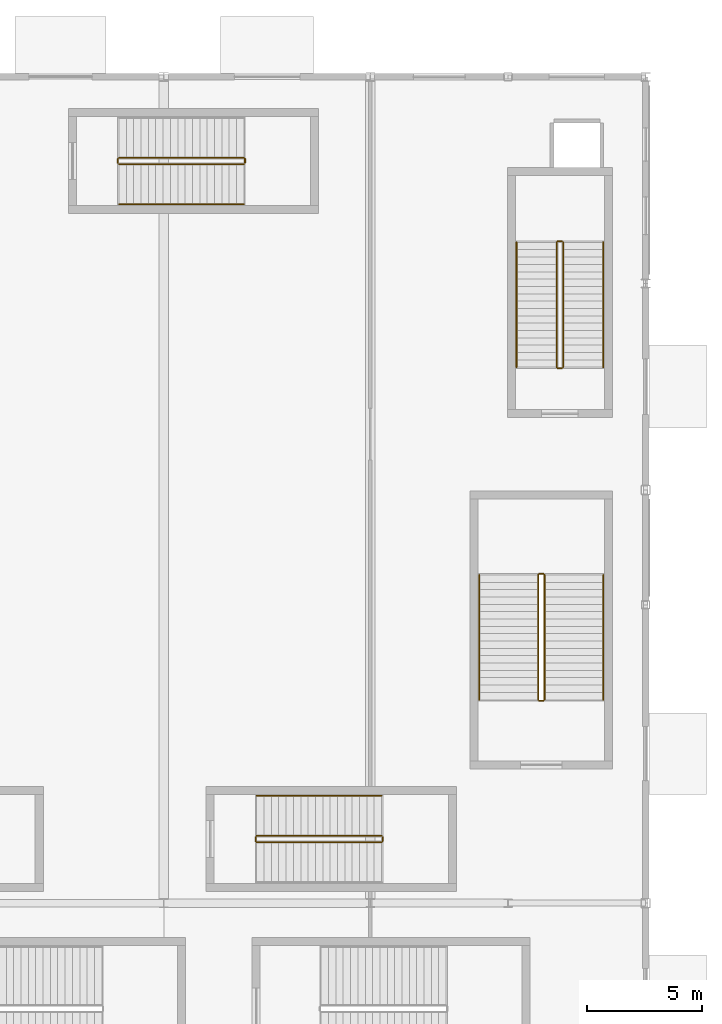
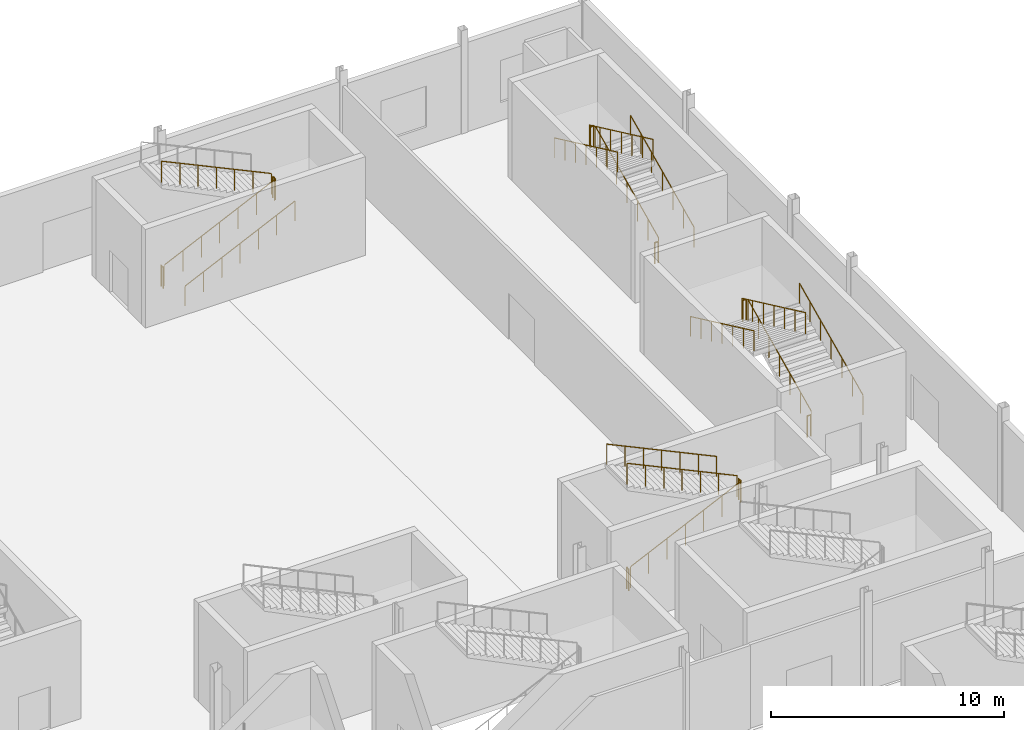
# One storey, part 93 of 94: 22 railings.
"""IFC4 building model written with IfcOpenShell, lengths in metres."""

from ifc_helpers import new_model, si_unit, direction, frame, origin, origin_2d, place, context, subcontext, project, spatial, circle, extrude, material, type_object, element, save


model = new_model("IFC4")

# Units and contexts
model_context = context("Model", 3, precision=1e-05, world=origin(), true_north=direction((0.0, 1.0)))
body_context = subcontext(model_context, "Body", "Model", "MODEL_VIEW")
ifc_project = project(units=[si_unit("LENGTHUNIT", "METRE"), si_unit("AREAUNIT", "SQUARE_METRE"), si_unit("VOLUMEUNIT", "CUBIC_METRE"), si_unit("PLANEANGLEUNIT", "RADIAN"), si_unit("MASSUNIT", "GRAM", prefix="KILO")], contexts=[model_context])

# Site, building, storey
site_placement = place(None, origin())
site = spatial("IfcSite", under=ifc_project, at=site_placement, CompositionType="ELEMENT")
building_placement = place(site_placement, origin())
building = spatial("IfcBuilding", under=site, at=building_placement, Name="Qamarlyn Nura Convention Centre", CompositionType="ELEMENT")
storey_placement = place(building_placement, origin())
storey = spatial("IfcBuildingStorey", under=building, at=storey_placement, Name="L00", CompositionType="ELEMENT", Elevation=0.0)

# Railings
ifc_material = material(Name="Marine Grade 316 stainless steel", Category="steel")
railing_type_1 = type_object("IfcRailingType", Name="GRD-STAIR-112", PredefinedType="BALUSTRADE", material=ifc_material)
railing_1_placement = place(storey_placement, frame((187.590087890625, 98.860107421875, 0.14990234375)))
element("IfcRailing", 1, at=railing_1_placement, inside=storey, type_object=railing_type_1, Name="L00 ST-18 stair guard 1", PredefinedType="BALUSTRADE", context=body_context, shape_type="SweptSolid", body=[
    extrude(circle(Radius=0.02392578125, at=origin_2d()), frame((0.0, 0.0, 1.09619140625), z_axis=(0.0, 0.90545405566, 0.424444287379), x_axis=(-1.0, 0.0, 0.0)), (0.0, 0.0, 1.0), 6.008056640625),
    extrude(circle(Radius=0.02099609375, at=origin_2d()), origin(), (0.0, 0.0, 1.0), 1.070068359375),
    extrude(circle(Radius=0.02099609375, at=origin_2d()), frame((0.0, 0.90673828125, 0.425048828125)), (0.0, 0.0, 1.0), 1.070068359375),
    extrude(circle(Radius=0.02099609375, at=origin_2d()), frame((0.0, 1.813232421875, 0.85009765625)), (0.0, 0.0, 1.0), 1.070068359375),
    extrude(circle(Radius=0.02099609375, at=origin_2d()), frame((0.0, 2.719970703125, 1.27490234375)), (0.0, 0.0, 1.0), 1.070068359375),
    extrude(circle(Radius=0.02099609375, at=origin_2d()), frame((0.0, 3.626708984375, 1.699951171875)), (0.0, 0.0, 1.0), 1.070068359375),
    extrude(circle(Radius=0.02099609375, at=origin_2d()), frame((0.0, 4.533203125, 2.125)), (0.0, 0.0, 1.0), 1.070068359375),
    extrude(circle(Radius=0.02099609375, at=origin_2d()), frame((0.0, 5.43994140625, 2.550048828125)), (0.0, 0.0, 1.0), 1.070068359375),
])
railing_2_placement = place(storey_placement, frame((187.5400390625, 104.35009765625, 2.699951171875)))
element("IfcRailing", 2, at=railing_2_placement, inside=storey, type_object=railing_type_1, Name="L00 ST-18 stair guard 2", PredefinedType="BALUSTRADE", context=body_context, shape_type="SweptSolid", body=[
    extrude(circle(Radius=0.02392578125, at=origin_2d()), frame((0.0, 0.0, 1.09619140625), z_axis=(-1.0, 0.0, 0.0), x_axis=(0.0, -1.0, 0.0)), (0.0, 0.0, 1.0), 0.179931640625),
    extrude(circle(Radius=0.02099609375, at=origin_2d()), origin(), (0.0, 0.0, 1.0), 1.070068359375),
    extrude(circle(Radius=0.02099609375, at=origin_2d()), frame((-0.179931640625, 0.0, 0.0)), (0.0, 0.0, 1.0), 1.070068359375),
])
railing_3_placement = place(storey_placement, frame((187.31005859375, 104.300048828125, 2.85009765625)))
element("IfcRailing", 3, at=railing_3_placement, inside=storey, type_object=railing_type_1, Name="L00 ST-18 stair guard 3", PredefinedType="BALUSTRADE", context=body_context, shape_type="SweptSolid", body=[
    extrude(circle(Radius=0.02392578125, at=origin_2d()), frame((0.0, 0.0, 1.09619140625), z_axis=(0.0, -0.90546967238, 0.424410971113), x_axis=(1.0, 0.0, 0.0)), (0.0, 0.0, 1.0), 6.0078125),
    extrude(circle(Radius=0.02099609375, at=origin_2d()), origin(), (0.0, 0.0, 1.0), 1.070068359375),
    extrude(circle(Radius=0.02099609375, at=origin_2d()), frame((0.0, -0.90673828125, 0.425048828125)), (0.0, 0.0, 1.0), 1.070068359375),
    extrude(circle(Radius=0.02099609375, at=origin_2d()), frame((0.0, -1.813232421875, 0.849853515625)), (0.0, 0.0, 1.0), 1.070068359375),
    extrude(circle(Radius=0.02099609375, at=origin_2d()), frame((0.0, -2.719970703125, 1.27490234375)), (0.0, 0.0, 1.0), 1.070068359375),
    extrude(circle(Radius=0.02099609375, at=origin_2d()), frame((0.0, -3.626708984375, 1.699951171875)), (0.0, 0.0, 1.0), 1.070068359375),
    extrude(circle(Radius=0.02099609375, at=origin_2d()), frame((0.0, -4.533203125, 2.124755859375)), (0.0, 0.0, 1.0), 1.070068359375),
    extrude(circle(Radius=0.02099609375, at=origin_2d()), frame((0.0, -5.43994140625, 2.5498046875)), (0.0, 0.0, 1.0), 1.070068359375),
])
railing_4_placement = place(storey_placement, frame((187.5400390625, 98.81005859375, 0.0)))
element("IfcRailing", 4, at=railing_4_placement, inside=storey, type_object=railing_type_1, Name="L00 ST-18 stair guard 4", PredefinedType="BALUSTRADE", context=body_context, shape_type="SweptSolid", body=[
    extrude(circle(Radius=0.02392578125, at=origin_2d()), frame((0.0, 0.0, 1.09619140625), z_axis=(-1.0, 0.0, 0.0), x_axis=(0.0, -1.0, 0.0)), (0.0, 0.0, 1.0), 0.179931640625),
    extrude(circle(Radius=0.02099609375, at=origin_2d()), origin(), (0.0, 0.0, 1.0), 1.070068359375),
    extrude(circle(Radius=0.02099609375, at=origin_2d()), frame((-0.179931640625, 0.0, 0.0)), (0.0, 0.0, 1.0), 1.070068359375),
])
railing_5_placement = place(storey_placement, frame((175.050048828125, 92.64990234375, 0.14990234375)))
element("IfcRailing", 5, at=railing_5_placement, inside=storey, type_object=railing_type_1, Name="L00 ST-VOM4 stair guard 1", PredefinedType="BALUSTRADE", context=body_context, shape_type="SweptSolid", body=[
    extrude(circle(Radius=0.02392578125, at=origin_2d()), frame((0.0, 0.0, 1.09619140625), z_axis=(0.90545405566, 0.0, 0.424444287379), x_axis=(0.0, 1.0, 0.0)), (0.0, 0.0, 1.0), 6.008056640625),
    extrude(circle(Radius=0.02099609375, at=origin_2d()), origin(), (0.0, 0.0, 1.0), 1.070068359375),
    extrude(circle(Radius=0.02099609375, at=origin_2d()), frame((0.90673828125, 0.0, 0.425048828125)), (0.0, 0.0, 1.0), 1.070068359375),
    extrude(circle(Radius=0.02099609375, at=origin_2d()), frame((1.813232421875, 0.0, 0.85009765625)), (0.0, 0.0, 1.0), 1.070068359375),
    extrude(circle(Radius=0.02099609375, at=origin_2d()), frame((2.719970703125, 0.0, 1.27490234375)), (0.0, 0.0, 1.0), 1.070068359375),
    extrude(circle(Radius=0.02099609375, at=origin_2d()), frame((3.626708984375, 0.0, 1.699951171875)), (0.0, 0.0, 1.0), 1.070068359375),
    extrude(circle(Radius=0.02099609375, at=origin_2d()), frame((4.533203125, 0.0, 2.125)), (0.0, 0.0, 1.0), 1.070068359375),
    extrude(circle(Radius=0.02099609375, at=origin_2d()), frame((5.43994140625, 0.0, 2.550048828125)), (0.0, 0.0, 1.0), 1.070068359375),
])
railing_6_placement = place(storey_placement, frame((180.5400390625, 92.699951171875, 2.699951171875)))
element("IfcRailing", 6, at=railing_6_placement, inside=storey, type_object=railing_type_1, Name="L00 ST-VOM4 stair guard 2", PredefinedType="BALUSTRADE", context=body_context, shape_type="SweptSolid", body=[
    extrude(circle(Radius=0.02392578125, at=origin_2d()), frame((0.0, 0.0, 1.09619140625), z_axis=(0.0, 1.0, 0.0), x_axis=(-1.0, 0.0, 0.0)), (0.0, 0.0, 1.0), 0.179931640625),
    extrude(circle(Radius=0.02099609375, at=origin_2d()), origin(), (0.0, 0.0, 1.0), 1.070068359375),
    extrude(circle(Radius=0.02099609375, at=origin_2d()), frame((0.0, 0.179931640625, 0.0)), (0.0, 0.0, 1.0), 1.070068359375),
])
railing_7_placement = place(storey_placement, frame((180.489990234375, 92.929931640625, 2.85009765625)))
element("IfcRailing", 7, at=railing_7_placement, inside=storey, type_object=railing_type_1, Name="L00 ST-VOM4 stair guard 3", PredefinedType="BALUSTRADE", context=body_context, shape_type="SweptSolid", body=[
    extrude(circle(Radius=0.02392578125, at=origin_2d()), frame((0.0, 0.0, 1.09619140625), z_axis=(-0.90546967238, 0.0, 0.424410971113), x_axis=(0.0, -1.0, 0.0)), (0.0, 0.0, 1.0), 6.0078125),
    extrude(circle(Radius=0.02099609375, at=origin_2d()), origin(), (0.0, 0.0, 1.0), 1.070068359375),
    extrude(circle(Radius=0.02099609375, at=origin_2d()), frame((-0.90673828125, 0.0, 0.425048828125)), (0.0, 0.0, 1.0), 1.070068359375),
    extrude(circle(Radius=0.02099609375, at=origin_2d()), frame((-1.813232421875, 0.0, 0.849853515625)), (0.0, 0.0, 1.0), 1.070068359375),
    extrude(circle(Radius=0.02099609375, at=origin_2d()), frame((-2.719970703125, 0.0, 1.27490234375)), (0.0, 0.0, 1.0), 1.070068359375),
    extrude(circle(Radius=0.02099609375, at=origin_2d()), frame((-3.626708984375, 0.0, 1.699951171875)), (0.0, 0.0, 1.0), 1.070068359375),
    extrude(circle(Radius=0.02099609375, at=origin_2d()), frame((-4.533203125, 0.0, 2.124755859375)), (0.0, 0.0, 1.0), 1.070068359375),
    extrude(circle(Radius=0.02099609375, at=origin_2d()), frame((-5.43994140625, 0.0, 2.5498046875)), (0.0, 0.0, 1.0), 1.070068359375),
])
railing_8_placement = place(storey_placement, frame((175.0, 92.699951171875, 0.0)))
element("IfcRailing", 8, at=railing_8_placement, inside=storey, type_object=railing_type_1, Name="L00 ST-VOM4 stair guard 4", PredefinedType="BALUSTRADE", context=body_context, shape_type="SweptSolid", body=[
    extrude(circle(Radius=0.02392578125, at=origin_2d()), frame((0.0, 0.0, 1.09619140625), z_axis=(0.0, 1.0, 0.0), x_axis=(-1.0, 0.0, 0.0)), (0.0, 0.0, 1.0), 0.179931640625),
    extrude(circle(Radius=0.02099609375, at=origin_2d()), origin(), (0.0, 0.0, 1.0), 1.070068359375),
    extrude(circle(Radius=0.02099609375, at=origin_2d()), frame((0.0, 0.179931640625, 0.0)), (0.0, 0.0, 1.0), 1.070068359375),
])
railing_9_placement = place(storey_placement, frame((169.050048828125, 122.199951171875, 0.14990234375)))
element("IfcRailing", 9, at=railing_9_placement, inside=storey, type_object=railing_type_1, Name="L00 ST-VOM5 stair guard 1", PredefinedType="BALUSTRADE", context=body_context, shape_type="SweptSolid", body=[
    extrude(circle(Radius=0.02392578125, at=origin_2d()), frame((0.0, 0.0, 1.09619140625), z_axis=(0.90545405566, 0.0, 0.424444287379), x_axis=(0.0, 1.0, 0.0)), (0.0, 0.0, 1.0), 6.008056640625),
    extrude(circle(Radius=0.02099609375, at=origin_2d()), origin(), (0.0, 0.0, 1.0), 1.070068359375),
    extrude(circle(Radius=0.02099609375, at=origin_2d()), frame((0.90673828125, 0.0, 0.425048828125)), (0.0, 0.0, 1.0), 1.070068359375),
    extrude(circle(Radius=0.02099609375, at=origin_2d()), frame((1.813232421875, 0.0, 0.85009765625)), (0.0, 0.0, 1.0), 1.070068359375),
    extrude(circle(Radius=0.02099609375, at=origin_2d()), frame((2.719970703125, 0.0, 1.27490234375)), (0.0, 0.0, 1.0), 1.070068359375),
    extrude(circle(Radius=0.02099609375, at=origin_2d()), frame((3.626708984375, 0.0, 1.699951171875)), (0.0, 0.0, 1.0), 1.070068359375),
    extrude(circle(Radius=0.02099609375, at=origin_2d()), frame((4.533203125, 0.0, 2.125)), (0.0, 0.0, 1.0), 1.070068359375),
    extrude(circle(Radius=0.02099609375, at=origin_2d()), frame((5.43994140625, 0.0, 2.550048828125)), (0.0, 0.0, 1.0), 1.070068359375),
])
railing_10_placement = place(storey_placement, frame((174.5400390625, 122.25, 2.699951171875)))
element("IfcRailing", 10, at=railing_10_placement, inside=storey, type_object=railing_type_1, Name="L00 ST-VOM5 stair guard 2", PredefinedType="BALUSTRADE", context=body_context, shape_type="SweptSolid", body=[
    extrude(circle(Radius=0.02392578125, at=origin_2d()), frame((0.0, 0.0, 1.09619140625), z_axis=(0.0, 1.0, 0.0), x_axis=(-1.0, 0.0, 0.0)), (0.0, 0.0, 1.0), 0.179931640625),
    extrude(circle(Radius=0.02099609375, at=origin_2d()), origin(), (0.0, 0.0, 1.0), 1.070068359375),
    extrude(circle(Radius=0.02099609375, at=origin_2d()), frame((0.0, 0.179931640625, 0.0)), (0.0, 0.0, 1.0), 1.070068359375),
])
railing_11_placement = place(storey_placement, frame((174.489990234375, 122.47998046875, 2.85009765625)))
element("IfcRailing", 11, at=railing_11_placement, inside=storey, type_object=railing_type_1, Name="L00 ST-VOM5 stair guard 3", PredefinedType="BALUSTRADE", context=body_context, shape_type="SweptSolid", body=[
    extrude(circle(Radius=0.02392578125, at=origin_2d()), frame((0.0, 0.0, 1.09619140625), z_axis=(-0.90546967238, 0.0, 0.424410971113), x_axis=(0.0, -1.0, 0.0)), (0.0, 0.0, 1.0), 6.0078125),
    extrude(circle(Radius=0.02099609375, at=origin_2d()), origin(), (0.0, 0.0, 1.0), 1.070068359375),
    extrude(circle(Radius=0.02099609375, at=origin_2d()), frame((-0.90673828125, 0.0, 0.425048828125)), (0.0, 0.0, 1.0), 1.070068359375),
    extrude(circle(Radius=0.02099609375, at=origin_2d()), frame((-1.813232421875, 0.0, 0.849853515625)), (0.0, 0.0, 1.0), 1.070068359375),
    extrude(circle(Radius=0.02099609375, at=origin_2d()), frame((-2.719970703125, 0.0, 1.27490234375)), (0.0, 0.0, 1.0), 1.070068359375),
    extrude(circle(Radius=0.02099609375, at=origin_2d()), frame((-3.626708984375, 0.0, 1.699951171875)), (0.0, 0.0, 1.0), 1.070068359375),
    extrude(circle(Radius=0.02099609375, at=origin_2d()), frame((-4.533203125, 0.0, 2.124755859375)), (0.0, 0.0, 1.0), 1.070068359375),
    extrude(circle(Radius=0.02099609375, at=origin_2d()), frame((-5.43994140625, 0.0, 2.5498046875)), (0.0, 0.0, 1.0), 1.070068359375),
])
railing_12_placement = place(storey_placement, frame((169.0, 122.25, 0.0)))
element("IfcRailing", 12, at=railing_12_placement, inside=storey, type_object=railing_type_1, Name="L00 ST-VOM5 stair guard 4", PredefinedType="BALUSTRADE", context=body_context, shape_type="SweptSolid", body=[
    extrude(circle(Radius=0.02392578125, at=origin_2d()), frame((0.0, 0.0, 1.09619140625), z_axis=(0.0, 1.0, 0.0), x_axis=(-1.0, 0.0, 0.0)), (0.0, 0.0, 1.0), 0.179931640625),
    extrude(circle(Radius=0.02099609375, at=origin_2d()), origin(), (0.0, 0.0, 1.0), 1.070068359375),
    extrude(circle(Radius=0.02099609375, at=origin_2d()), frame((0.0, 0.179931640625, 0.0)), (0.0, 0.0, 1.0), 1.070068359375),
])
railing_13_placement = place(storey_placement, frame((188.39990234375, 113.35009765625, 0.14990234375)))
element("IfcRailing", 13, at=railing_13_placement, inside=storey, type_object=railing_type_1, Name="L00 ST-VOM6 stair guard 1", PredefinedType="BALUSTRADE", context=body_context, shape_type="SweptSolid", body=[
    extrude(circle(Radius=0.02392578125, at=origin_2d()), frame((0.0, 0.0, 1.09619140625), z_axis=(0.0, 0.90545405566, 0.424444287379), x_axis=(-1.0, 0.0, 0.0)), (0.0, 0.0, 1.0), 6.008056640625),
    extrude(circle(Radius=0.02099609375, at=origin_2d()), origin(), (0.0, 0.0, 1.0), 1.070068359375),
    extrude(circle(Radius=0.02099609375, at=origin_2d()), frame((0.0, 0.90673828125, 0.425048828125)), (0.0, 0.0, 1.0), 1.070068359375),
    extrude(circle(Radius=0.02099609375, at=origin_2d()), frame((0.0, 1.813232421875, 0.85009765625)), (0.0, 0.0, 1.0), 1.070068359375),
    extrude(circle(Radius=0.02099609375, at=origin_2d()), frame((0.0, 2.719970703125, 1.27490234375)), (0.0, 0.0, 1.0), 1.070068359375),
    extrude(circle(Radius=0.02099609375, at=origin_2d()), frame((0.0, 3.626708984375, 1.699951171875)), (0.0, 0.0, 1.0), 1.070068359375),
    extrude(circle(Radius=0.02099609375, at=origin_2d()), frame((0.0, 4.533203125, 2.125)), (0.0, 0.0, 1.0), 1.070068359375),
    extrude(circle(Radius=0.02099609375, at=origin_2d()), frame((0.0, 5.43994140625, 2.550048828125)), (0.0, 0.0, 1.0), 1.070068359375),
])
railing_14_placement = place(storey_placement, frame((188.35009765625, 118.840087890625, 2.699951171875)))
element("IfcRailing", 14, at=railing_14_placement, inside=storey, type_object=railing_type_1, Name="L00 ST-VOM6 stair guard 2", PredefinedType="BALUSTRADE", context=body_context, shape_type="SweptSolid", body=[
    extrude(circle(Radius=0.02392578125, at=origin_2d()), frame((0.0, 0.0, 1.09619140625), z_axis=(-1.0, 0.0, 0.0), x_axis=(0.0, -1.0, 0.0)), (0.0, 0.0, 1.0), 0.18017578125),
    extrude(circle(Radius=0.02099609375, at=origin_2d()), origin(), (0.0, 0.0, 1.0), 1.070068359375),
    extrude(circle(Radius=0.02099609375, at=origin_2d()), frame((-0.18017578125, 0.0, 0.0)), (0.0, 0.0, 1.0), 1.070068359375),
])
railing_15_placement = place(storey_placement, frame((188.1201171875, 118.7900390625, 2.85009765625)))
element("IfcRailing", 15, at=railing_15_placement, inside=storey, type_object=railing_type_1, Name="L00 ST-VOM6 stair guard 3", PredefinedType="BALUSTRADE", context=body_context, shape_type="SweptSolid", body=[
    extrude(circle(Radius=0.02392578125, at=origin_2d()), frame((0.0, 0.0, 1.09619140625), z_axis=(0.0, -0.90546967238, 0.424410971113), x_axis=(1.0, 0.0, 0.0)), (0.0, 0.0, 1.0), 6.0078125),
    extrude(circle(Radius=0.02099609375, at=origin_2d()), origin(), (0.0, 0.0, 1.0), 1.070068359375),
    extrude(circle(Radius=0.02099609375, at=origin_2d()), frame((0.0, -0.90673828125, 0.425048828125)), (0.0, 0.0, 1.0), 1.070068359375),
    extrude(circle(Radius=0.02099609375, at=origin_2d()), frame((0.0, -1.813232421875, 0.849853515625)), (0.0, 0.0, 1.0), 1.070068359375),
    extrude(circle(Radius=0.02099609375, at=origin_2d()), frame((0.0, -2.719970703125, 1.27490234375)), (0.0, 0.0, 1.0), 1.070068359375),
    extrude(circle(Radius=0.02099609375, at=origin_2d()), frame((0.0, -3.626708984375, 1.699951171875)), (0.0, 0.0, 1.0), 1.070068359375),
    extrude(circle(Radius=0.02099609375, at=origin_2d()), frame((0.0, -4.533203125, 2.124755859375)), (0.0, 0.0, 1.0), 1.070068359375),
    extrude(circle(Radius=0.02099609375, at=origin_2d()), frame((0.0, -5.43994140625, 2.5498046875)), (0.0, 0.0, 1.0), 1.070068359375),
])
railing_16_placement = place(storey_placement, frame((188.35009765625, 113.300048828125, 0.0)))
element("IfcRailing", 16, at=railing_16_placement, inside=storey, type_object=railing_type_1, Name="L00 ST-VOM6 stair guard 4", PredefinedType="BALUSTRADE", context=body_context, shape_type="SweptSolid", body=[
    extrude(circle(Radius=0.02392578125, at=origin_2d()), frame((0.0, 0.0, 1.09619140625), z_axis=(-1.0, 0.0, 0.0), x_axis=(0.0, -1.0, 0.0)), (0.0, 0.0, 1.0), 0.18017578125),
    extrude(circle(Radius=0.02099609375, at=origin_2d()), origin(), (0.0, 0.0, 1.0), 1.070068359375),
    extrude(circle(Radius=0.02099609375, at=origin_2d()), frame((-0.18017578125, 0.0, 0.0)), (0.0, 0.0, 1.0), 1.070068359375),
])
railing_type_2 = type_object("IfcRailingType", Name="HRL-STAIR-090", PredefinedType="HANDRAIL", material=ifc_material)
railing_17_placement = place(storey_placement, frame((190.14990234375, 98.860107421875, 0.30224609375)))
element("IfcRailing", 17, at=railing_17_placement, inside=storey, type_object=railing_type_2, Name="L00 ST-18 stair handrail 1", PredefinedType="HANDRAIL", context=body_context, shape_type="SweptSolid", body=[
    extrude(circle(Radius=0.02392578125, at=origin_2d()), frame((0.0, 0.0, 0.88818359375), z_axis=(0.0, 0.90545405566, 0.424444287379), x_axis=(-1.0, 0.0, 0.0)), (0.0, 0.0, 1.0), 6.008056640625),
    extrude(circle(Radius=0.02099609375, at=origin_2d()), frame((0.0, 0.0, -0.155029296875)), (0.0, 0.0, 1.0), 1.01708984375),
    extrude(circle(Radius=0.02099609375, at=origin_2d()), frame((0.0, 0.90673828125, 0.27001953125)), (0.0, 0.0, 1.0), 1.01708984375),
    extrude(circle(Radius=0.02099609375, at=origin_2d()), frame((0.0, 1.813232421875, 0.695068359375)), (0.0, 0.0, 1.0), 1.01708984375),
    extrude(circle(Radius=0.02099609375, at=origin_2d()), frame((0.0, 2.719970703125, 1.1201171875)), (0.0, 0.0, 1.0), 1.01708984375),
    extrude(circle(Radius=0.02099609375, at=origin_2d()), frame((0.0, 3.626708984375, 1.544921875)), (0.0, 0.0, 1.0), 1.01708984375),
    extrude(circle(Radius=0.02099609375, at=origin_2d()), frame((0.0, 4.533203125, 1.969970703125)), (0.0, 0.0, 1.0), 1.01708984375),
    extrude(circle(Radius=0.02099609375, at=origin_2d()), frame((0.0, 5.43994140625, 2.39501953125)), (0.0, 0.0, 1.0), 1.01708984375),
])
railing_18_placement = place(storey_placement, frame((184.75, 104.300048828125, 3.002197265625)))
element("IfcRailing", 18, at=railing_18_placement, inside=storey, type_object=railing_type_2, Name="L00 ST-18 stair handrail 2", PredefinedType="HANDRAIL", context=body_context, shape_type="SweptSolid", body=[
    extrude(circle(Radius=0.02392578125, at=origin_2d()), frame((0.0, 0.0, 0.88818359375), z_axis=(0.0, -0.90545405566, 0.424444287379), x_axis=(1.0, 0.0, 0.0)), (0.0, 0.0, 1.0), 6.008056640625),
    extrude(circle(Radius=0.02099609375, at=origin_2d()), frame((0.0, 0.0, -0.155029296875)), (0.0, 0.0, 1.0), 1.01708984375),
    extrude(circle(Radius=0.02099609375, at=origin_2d()), frame((0.0, -0.90673828125, 0.27001953125)), (0.0, 0.0, 1.0), 1.01708984375),
    extrude(circle(Radius=0.02099609375, at=origin_2d()), frame((0.0, -1.813232421875, 0.695068359375)), (0.0, 0.0, 1.0), 1.01708984375),
    extrude(circle(Radius=0.02099609375, at=origin_2d()), frame((0.0, -2.719970703125, 1.1201171875)), (0.0, 0.0, 1.0), 1.01708984375),
    extrude(circle(Radius=0.02099609375, at=origin_2d()), frame((0.0, -3.626708984375, 1.544921875)), (0.0, 0.0, 1.0), 1.01708984375),
    extrude(circle(Radius=0.02099609375, at=origin_2d()), frame((0.0, -4.533203125, 1.969970703125)), (0.0, 0.0, 1.0), 1.01708984375),
    extrude(circle(Radius=0.02099609375, at=origin_2d()), frame((0.0, -5.43994140625, 2.39501953125)), (0.0, 0.0, 1.0), 1.01708984375),
])
railing_19_placement = place(storey_placement, frame((180.489990234375, 94.679931640625, 3.002197265625)))
element("IfcRailing", 19, at=railing_19_placement, inside=storey, type_object=railing_type_2, Name="L00 ST-VOM4 stair handrail 2", PredefinedType="HANDRAIL", context=body_context, shape_type="SweptSolid", body=[
    extrude(circle(Radius=0.02392578125, at=origin_2d()), frame((0.0, 0.0, 0.88818359375), z_axis=(-0.90545405566, 0.0, 0.424444287379), x_axis=(0.0, -1.0, 0.0)), (0.0, 0.0, 1.0), 6.008056640625),
    extrude(circle(Radius=0.02099609375, at=origin_2d()), frame((0.0, 0.0, -0.155029296875)), (0.0, 0.0, 1.0), 1.01708984375),
    extrude(circle(Radius=0.02099609375, at=origin_2d()), frame((-0.90673828125, 0.0, 0.27001953125)), (0.0, 0.0, 1.0), 1.01708984375),
    extrude(circle(Radius=0.02099609375, at=origin_2d()), frame((-1.813232421875, 0.0, 0.695068359375)), (0.0, 0.0, 1.0), 1.01708984375),
    extrude(circle(Radius=0.02099609375, at=origin_2d()), frame((-2.719970703125, 0.0, 1.1201171875)), (0.0, 0.0, 1.0), 1.01708984375),
    extrude(circle(Radius=0.02099609375, at=origin_2d()), frame((-3.626708984375, 0.0, 1.544921875)), (0.0, 0.0, 1.0), 1.01708984375),
    extrude(circle(Radius=0.02099609375, at=origin_2d()), frame((-4.533203125, 0.0, 1.969970703125)), (0.0, 0.0, 1.0), 1.01708984375),
    extrude(circle(Radius=0.02099609375, at=origin_2d()), frame((-5.43994140625, 0.0, 2.39501953125)), (0.0, 0.0, 1.0), 1.01708984375),
])
railing_20_placement = place(storey_placement, frame((169.050048828125, 120.449951171875, 0.30224609375)))
element("IfcRailing", 20, at=railing_20_placement, inside=storey, type_object=railing_type_2, Name="L00 ST-VOM5 stair handrail 1", PredefinedType="HANDRAIL", context=body_context, shape_type="SweptSolid", body=[
    extrude(circle(Radius=0.02392578125, at=origin_2d()), frame((0.0, 0.0, 0.88818359375), z_axis=(0.90545405566, 0.0, 0.424444287379), x_axis=(0.0, 1.0, 0.0)), (0.0, 0.0, 1.0), 6.008056640625),
    extrude(circle(Radius=0.02099609375, at=origin_2d()), frame((0.0, 0.0, -0.155029296875)), (0.0, 0.0, 1.0), 1.01708984375),
    extrude(circle(Radius=0.02099609375, at=origin_2d()), frame((0.90673828125, 0.0, 0.27001953125)), (0.0, 0.0, 1.0), 1.01708984375),
    extrude(circle(Radius=0.02099609375, at=origin_2d()), frame((1.813232421875, 0.0, 0.695068359375)), (0.0, 0.0, 1.0), 1.01708984375),
    extrude(circle(Radius=0.02099609375, at=origin_2d()), frame((2.719970703125, 0.0, 1.1201171875)), (0.0, 0.0, 1.0), 1.01708984375),
    extrude(circle(Radius=0.02099609375, at=origin_2d()), frame((3.626708984375, 0.0, 1.544921875)), (0.0, 0.0, 1.0), 1.01708984375),
    extrude(circle(Radius=0.02099609375, at=origin_2d()), frame((4.533203125, 0.0, 1.969970703125)), (0.0, 0.0, 1.0), 1.01708984375),
    extrude(circle(Radius=0.02099609375, at=origin_2d()), frame((5.43994140625, 0.0, 2.39501953125)), (0.0, 0.0, 1.0), 1.01708984375),
])
railing_21_placement = place(storey_placement, frame((190.14990234375, 113.35009765625, 0.30224609375)))
element("IfcRailing", 21, at=railing_21_placement, inside=storey, type_object=railing_type_2, Name="L00 ST-VOM6 stair handrail 1", PredefinedType="HANDRAIL", context=body_context, shape_type="SweptSolid", body=[
    extrude(circle(Radius=0.02392578125, at=origin_2d()), frame((0.0, 0.0, 0.88818359375), z_axis=(0.0, 0.90545405566, 0.424444287379), x_axis=(-1.0, 0.0, 0.0)), (0.0, 0.0, 1.0), 6.008056640625),
    extrude(circle(Radius=0.02099609375, at=origin_2d()), frame((0.0, 0.0, -0.155029296875)), (0.0, 0.0, 1.0), 1.01708984375),
    extrude(circle(Radius=0.02099609375, at=origin_2d()), frame((0.0, 0.90673828125, 0.27001953125)), (0.0, 0.0, 1.0), 1.01708984375),
    extrude(circle(Radius=0.02099609375, at=origin_2d()), frame((0.0, 1.813232421875, 0.695068359375)), (0.0, 0.0, 1.0), 1.01708984375),
    extrude(circle(Radius=0.02099609375, at=origin_2d()), frame((0.0, 2.719970703125, 1.1201171875)), (0.0, 0.0, 1.0), 1.01708984375),
    extrude(circle(Radius=0.02099609375, at=origin_2d()), frame((0.0, 3.626708984375, 1.544921875)), (0.0, 0.0, 1.0), 1.01708984375),
    extrude(circle(Radius=0.02099609375, at=origin_2d()), frame((0.0, 4.533203125, 1.969970703125)), (0.0, 0.0, 1.0), 1.01708984375),
    extrude(circle(Radius=0.02099609375, at=origin_2d()), frame((0.0, 5.43994140625, 2.39501953125)), (0.0, 0.0, 1.0), 1.01708984375),
])
railing_22_placement = place(storey_placement, frame((186.3701171875, 118.7900390625, 3.002197265625)))
element("IfcRailing", 22, at=railing_22_placement, inside=storey, type_object=railing_type_2, Name="L00 ST-VOM6 stair handrail 2", PredefinedType="HANDRAIL", context=body_context, shape_type="SweptSolid", body=[
    extrude(circle(Radius=0.02392578125, at=origin_2d()), frame((0.0, 0.0, 0.88818359375), z_axis=(0.0, -0.90545405566, 0.424444287379), x_axis=(1.0, 0.0, 0.0)), (0.0, 0.0, 1.0), 6.008056640625),
    extrude(circle(Radius=0.02099609375, at=origin_2d()), frame((0.0, 0.0, -0.155029296875)), (0.0, 0.0, 1.0), 1.01708984375),
    extrude(circle(Radius=0.02099609375, at=origin_2d()), frame((0.0, -0.90673828125, 0.27001953125)), (0.0, 0.0, 1.0), 1.01708984375),
    extrude(circle(Radius=0.02099609375, at=origin_2d()), frame((0.0, -1.813232421875, 0.695068359375)), (0.0, 0.0, 1.0), 1.01708984375),
    extrude(circle(Radius=0.02099609375, at=origin_2d()), frame((0.0, -2.719970703125, 1.1201171875)), (0.0, 0.0, 1.0), 1.01708984375),
    extrude(circle(Radius=0.02099609375, at=origin_2d()), frame((0.0, -3.626708984375, 1.544921875)), (0.0, 0.0, 1.0), 1.01708984375),
    extrude(circle(Radius=0.02099609375, at=origin_2d()), frame((0.0, -4.533203125, 1.969970703125)), (0.0, 0.0, 1.0), 1.01708984375),
    extrude(circle(Radius=0.02099609375, at=origin_2d()), frame((0.0, -5.43994140625, 2.39501953125)), (0.0, 0.0, 1.0), 1.01708984375),
])

save(model, "model.ifc")
